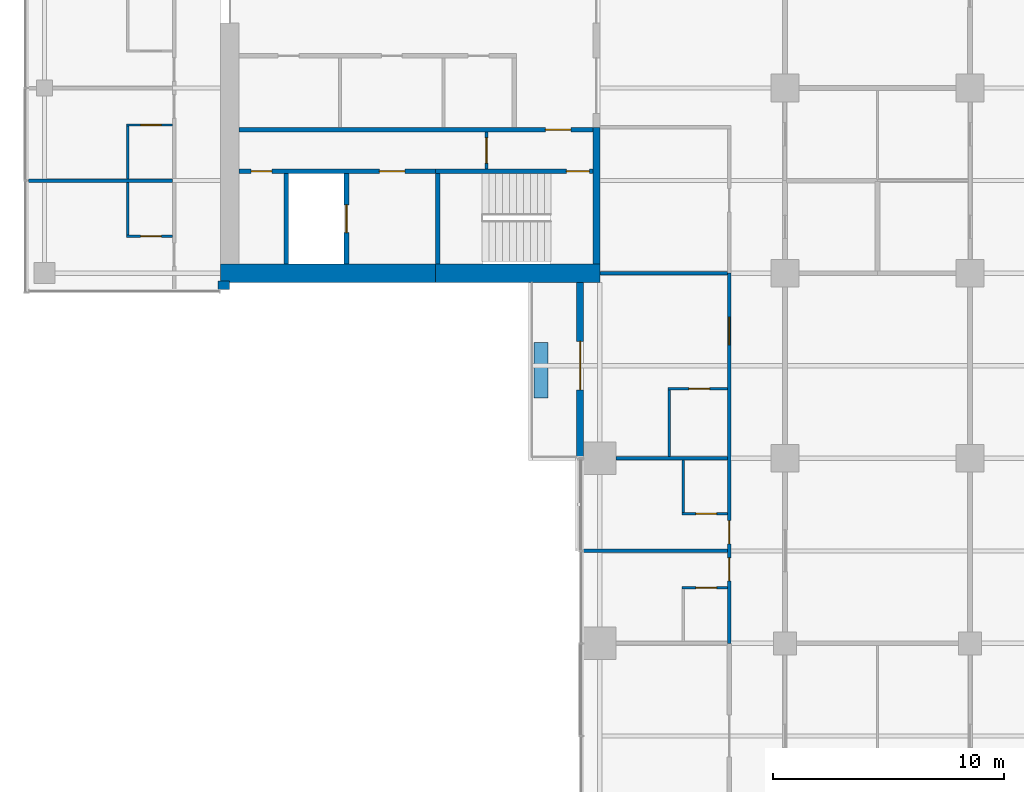
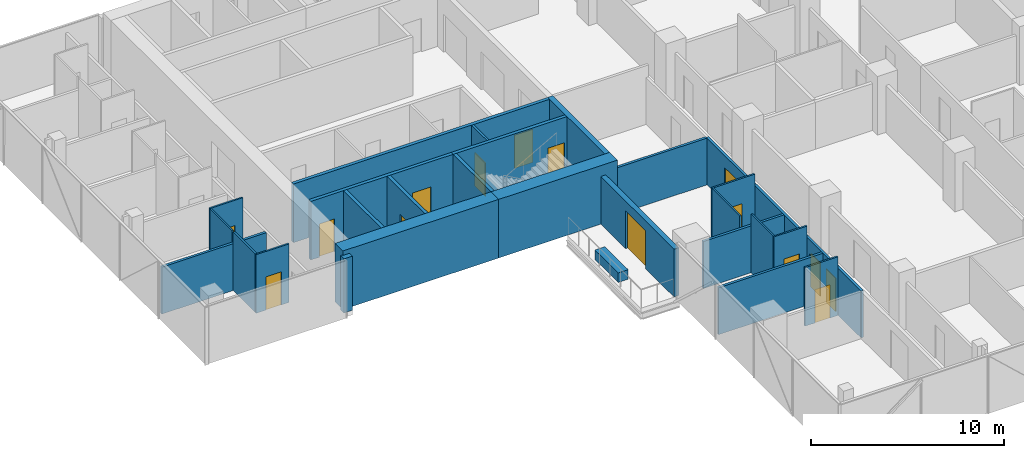
# One storey, part 15 of 27: 27 walls, 15 doors, 15 openings.
"""IFC4 building model written with IfcOpenShell, lengths in metres."""

from ifc_helpers import new_model, si_unit, direction, frame, frame_2d, origin, place, context, subcontext, project, spatial, rectangle, extrude, material, layer, layer_set, constituent, constituent_set, type_object, element, fill, save


model = new_model("IFC4")

# Units and contexts
model_context = context("Model", 3, precision=1e-05, world=origin(), true_north=direction((0.0, 1.0)))
body_context = subcontext(model_context, "Body", "Model", "MODEL_VIEW")
ifc_project = project(units=[si_unit("LENGTHUNIT", "METRE"), si_unit("AREAUNIT", "SQUARE_METRE"), si_unit("VOLUMEUNIT", "CUBIC_METRE"), si_unit("PLANEANGLEUNIT", "RADIAN"), si_unit("MASSUNIT", "GRAM", prefix="KILO")], contexts=[model_context])

# Site, building, storey
site_placement = place(None, origin())
site = spatial("IfcSite", under=ifc_project, at=site_placement, CompositionType="ELEMENT")
building_placement = place(site_placement, origin())
building = spatial("IfcBuilding", under=site, at=building_placement, Name="Crosswind Convention Tower", CompositionType="ELEMENT")
storey_placement = place(building_placement, frame((0.0, 0.0, 64.60009765625)))
storey = spatial("IfcBuildingStorey", under=building, at=storey_placement, Name="L10", CompositionType="ELEMENT", Elevation=64.60009765625)

# Wall
ifc_material_1 = material(Name="Concrete C50/60", Category="concrete")
ifc_layer_1 = layer(ifc_material_1, 0.300048828125)
ifc_layer_set_1 = layer_set([ifc_layer_1], Name="Concrete C50/60")
wall_type_1 = type_object("IfcWallType", Name="Concrete inner core wall 300", PredefinedType="SHEAR", material=ifc_layer_set_1)
wall_1_placement = place(storey_placement, frame((112.85009765625, 94.300048828125, 0.0), z_axis=(0.0, 0.0, 1.0), x_axis=(0.0, -1.0, 0.0)))
element("IfcWall", 1, at=wall_1_placement, inside=storey, type_object=wall_type_1, Name="Wall EP W L10", PredefinedType="SHEAR", context=body_context, shape_type="SweptSolid", body=[
    extrude(rectangle(XDim=5.900146484375, YDim=0.300048828125, at=frame_2d((2.9501953125, 0.0))), origin(), (0.0, 0.0, 1.0), 3.699951171875),
])

# Wall, opening, door
ifc_layer_2 = layer(ifc_material_1, 0.199951171875)
ifc_layer_set_2 = layer_set([ifc_layer_2], Name="Concrete C50/60")
wall_type_2 = type_object("IfcWallType", Name="Concrete shaft and stair wall 200", PredefinedType="SHEAR", material=ifc_layer_set_2)
wall_2_placement = place(storey_placement, frame((112.699951171875, 94.199951171875, 0.0), z_axis=(0.0, 0.0, 1.0), x_axis=(-1.0, 0.0, 0.0)))
wall_2 = element("IfcWall", 2, at=wall_2_placement, inside=storey, type_object=wall_type_2, Name="Wall HP W L10", PredefinedType="SHEAR", context=body_context, shape_type="SweptSolid", body=[
    extrude(rectangle(XDim=15.300048828125, YDim=0.199951171875, at=frame_2d((7.64990234375, 0.0))), origin(), (0.0, 0.0, 1.0), 3.699951171875),
])
opening_1_placement = place(wall_2_placement, frame((0.949951171875, 0.0, 0.0)))
opening_1 = element("IfcOpeningElement", 3, at=opening_1_placement, cuts=wall_2, Name="Opening D104", PredefinedType="OPENING", context=body_context, shape_type="SweptSolid", body=[
    extrude(rectangle(XDim=1.10009765625, YDim=2.10009765625, at=frame_2d((0.550048828125, 1.050048828125))), frame((0.0, 0.10986328125, 0.0), z_axis=(0.0, -1.0, 0.0), x_axis=(1.0, 0.0, 0.0)), (0.0, 0.0, 1.0), 0.219970703125),
])
ifc_material_2 = material(Name="Steel fire door", Category="steel")
door_type_1 = type_object("IfcDoorType", Name="Fire-rated single door 1100x2100", OperationType="NOTDEFINED", PredefinedType="DOOR", material=ifc_material_2)
door_1_placement = place(opening_1_placement, origin())
door_1 = element("IfcDoor", 4, at=door_1_placement, inside=storey, type_object=door_type_1, Name="Corridor door L10", ObjectType="D104", OperationType="SINGLE_SWING_LEFT", OverallHeight=2.10009765625, OverallWidth=1.10009765625, PredefinedType="DOOR", context=body_context, shape_type="SweptSolid", body=[
    extrude(rectangle(XDim=1.10009765625, YDim=2.10009765625, at=frame_2d((0.550048828125, 1.050048828125))), frame((0.0, 0.02490234375, 0.0), z_axis=(0.0, -1.0, 0.0), x_axis=(1.0, 0.0, 0.0)), (0.0, 0.0, 1.0), 0.050048828125),
])
fill(opening_1, door_1)

# Wall
wall_3_placement = place(storey_placement, frame((106.0, 92.300048828125, 0.0), z_axis=(0.0, 0.0, 1.0), x_axis=(0.0, -1.0, 0.0)))
element("IfcWall", 5, at=wall_3_placement, inside=storey, type_object=wall_type_2, Name="Wall PSE W L10", PredefinedType="SHEAR", context=body_context, shape_type="SweptSolid", body=[
    extrude(rectangle(XDim=3.900146484375, YDim=0.199951171875, at=frame_2d((1.9501953125, 0.0))), origin(), (0.0, 0.0, 1.0), 3.699951171875),
])

# Wall, opening, door
wall_4_placement = place(storey_placement, frame((102.050048828125, 92.300048828125, 0.0), z_axis=(0.0, 0.0, 1.0), x_axis=(0.0, -1.0, 0.0)))
wall_4 = element("IfcWall", 6, at=wall_4_placement, inside=storey, type_object=wall_type_2, Name="Wall PFLW W L10", PredefinedType="SHEAR", context=body_context, shape_type="SweptSolid", body=[
    extrude(rectangle(XDim=3.900146484375, YDim=0.199951171875, at=frame_2d((1.9501953125, 0.0))), origin(), (0.0, 0.0, 1.0), 3.699951171875),
])
opening_2_placement = place(wall_4_placement, frame((1.35009765625, 0.0, 0.0)))
opening_2 = element("IfcOpeningElement", 7, at=opening_2_placement, cuts=wall_4, Name="Opening LD1", PredefinedType="OPENING", context=body_context, shape_type="SweptSolid", body=[
    extrude(rectangle(XDim=1.199951171875, YDim=2.10009765625, at=frame_2d((0.60009765625, 1.050048828125))), frame((0.0, 0.10986328125, 0.0), z_axis=(0.0, -1.0, 0.0), x_axis=(1.0, 0.0, 0.0)), (0.0, 0.0, 1.0), 0.219970703125),
])
ifc_material_3 = material(Name="Stainless steel", Category="steel")
door_type_2 = type_object("IfcDoorType", Name="Lift landing door 1200x2100", OperationType="DOUBLE_DOOR_SLIDING", PredefinedType="DOOR", material=ifc_material_3)
door_2_placement = place(opening_2_placement, origin())
door_2 = element("IfcDoor", 8, at=door_2_placement, inside=storey, type_object=door_type_2, Name="Landing door FF2 L10", ObjectType="LD1", OperationType="DOUBLE_DOOR_SLIDING", OverallHeight=2.10009765625, OverallWidth=1.199951171875, PredefinedType="DOOR", context=body_context, shape_type="SweptSolid", body=[
    extrude(rectangle(XDim=1.199951171875, YDim=2.10009765625, at=frame_2d((0.60009765625, 1.050048828125))), frame((0.0, 0.02490234375, 0.0), z_axis=(0.0, -1.0, 0.0), x_axis=(1.0, 0.0, 0.0)), (0.0, 0.0, 1.0), 0.050048828125),
])
fill(opening_2, door_2)

# Wall
wall_5_placement = place(storey_placement, frame((99.449951171875, 92.300048828125, 0.0), z_axis=(0.0, 0.0, 1.0), x_axis=(0.0, -1.0, 0.0)))
element("IfcWall", 9, at=wall_5_placement, inside=storey, type_object=wall_type_2, Name="Wall PFSE W L10", PredefinedType="SHEAR", context=body_context, shape_type="SweptSolid", body=[
    extrude(rectangle(XDim=3.900146484375, YDim=0.199951171875, at=frame_2d((1.9501953125, 0.0))), origin(), (0.0, 0.0, 1.0), 3.699951171875),
])

# Wall, opening, door
wall_6_placement = place(storey_placement, frame((112.699951171875, 92.39990234375, 0.0), z_axis=(0.0, 0.0, 1.0), x_axis=(-1.0, 0.0, 0.0)))
wall_6 = element("IfcWall", 10, at=wall_6_placement, inside=storey, type_object=wall_type_2, Name="Wall PCW W L10", PredefinedType="SHEAR", context=body_context, shape_type="SweptSolid", body=[
    extrude(rectangle(XDim=6.800048828125, YDim=0.199951171875, at=frame_2d((3.39990234375, 0.0))), origin(), (0.0, 0.0, 1.0), 3.699951171875),
])
opening_3_placement = place(wall_6_placement, frame((0.14990234375, 0.0, 0.0)))
opening_3 = element("IfcOpeningElement", 11, at=opening_3_placement, cuts=wall_6, Name="Opening D103", PredefinedType="OPENING", context=body_context, shape_type="SweptSolid", body=[
    extrude(rectangle(XDim=1.0, YDim=2.10009765625, at=frame_2d((0.5, 1.050048828125))), frame((0.0, 0.10986328125, 0.0), z_axis=(0.0, -1.0, 0.0), x_axis=(1.0, 0.0, 0.0)), (0.0, 0.0, 1.0), 0.219970703125),
])
door_type_3 = type_object("IfcDoorType", Name="Fire-rated single door 1000x2100", OperationType="NOTDEFINED", PredefinedType="DOOR", material=ifc_material_2)
door_3_placement = place(opening_3_placement, origin())
door_3 = element("IfcDoor", 12, at=door_3_placement, inside=storey, type_object=door_type_3, Name="Stair ST3 door L10", ObjectType="D103", OperationType="SINGLE_SWING_LEFT", OverallHeight=2.10009765625, OverallWidth=1.0, PredefinedType="DOOR", context=body_context, shape_type="SweptSolid", body=[
    extrude(rectangle(XDim=1.0, YDim=2.10009765625, at=frame_2d((0.5, 1.050048828125))), frame((0.0, 0.02490234375, 0.0), z_axis=(0.0, -1.0, 0.0), x_axis=(1.0, 0.0, 0.0)), (0.0, 0.0, 1.0), 0.050048828125),
])
fill(opening_3, door_3)

# Wall, openings, doors
wall_7_placement = place(storey_placement, frame((105.89990234375, 92.39990234375, 0.0), z_axis=(0.0, 0.0, 1.0), x_axis=(-1.0, 0.0, 0.0)))
wall_7 = element("IfcWall", 13, at=wall_7_placement, inside=storey, type_object=wall_type_2, Name="Wall PCX W L10", PredefinedType="SHEAR", context=body_context, shape_type="SweptSolid", body=[
    extrude(rectangle(XDim=8.5, YDim=0.199951171875, at=frame_2d((4.25, 0.0))), origin(), (0.0, 0.0, 1.0), 3.699951171875),
])
opening_4_placement = place(wall_7_placement, frame((1.324951171875, 0.0, 0.0)))
opening_4 = element("IfcOpeningElement", 14, at=opening_4_placement, cuts=wall_7, Name="Opening D104", PredefinedType="OPENING", context=body_context, shape_type="SweptSolid", body=[
    extrude(rectangle(XDim=1.10009765625, YDim=2.10009765625, at=frame_2d((0.550048828125, 1.050048828125))), frame((0.0, 0.10986328125, 0.0), z_axis=(0.0, -1.0, 0.0), x_axis=(1.0, 0.0, 0.0)), (0.0, 0.0, 1.0), 0.219970703125),
])
opening_5_placement = place(wall_7_placement, frame((7.074951171875, 0.0, 0.0)))
opening_5 = element("IfcOpeningElement", 15, at=opening_5_placement, cuts=wall_7, Name="Opening D106", PredefinedType="OPENING", context=body_context, shape_type="SweptSolid", body=[
    extrude(rectangle(XDim=0.89990234375, YDim=2.10009765625, at=frame_2d((0.449951171875, 1.050048828125))), frame((0.0, 0.10986328125, 0.0), z_axis=(0.0, -1.0, 0.0), x_axis=(1.0, 0.0, 0.0)), (0.0, 0.0, 1.0), 0.219970703125),
])
door_4_placement = place(opening_4_placement, origin())
door_4 = element("IfcDoor", 16, at=door_4_placement, inside=storey, type_object=door_type_1, Name="Fire-fighting lobby FF2 door L10", ObjectType="D104", OperationType="SINGLE_SWING_RIGHT", OverallHeight=2.10009765625, OverallWidth=1.10009765625, PredefinedType="DOOR", context=body_context, shape_type="SweptSolid", body=[
    extrude(rectangle(XDim=1.10009765625, YDim=2.10009765625, at=frame_2d((0.550048828125, 1.050048828125))), frame((0.0, 0.02490234375, 0.0), z_axis=(0.0, -1.0, 0.0), x_axis=(1.0, 0.0, 0.0)), (0.0, 0.0, 1.0), 0.050048828125),
])
fill(opening_4, door_4)
ifc_material_4 = material(Name="Timber door", Category="wood")
door_type_4 = type_object("IfcDoorType", Name="Single leaf door 900x2100", OperationType="NOTDEFINED", PredefinedType="DOOR", material=ifc_material_4)
door_5_placement = place(opening_5_placement, origin())
door_5 = element("IfcDoor", 17, at=door_5_placement, inside=storey, type_object=door_type_4, Name="Door to cleaners' store L10", ObjectType="D106", OperationType="SINGLE_SWING_RIGHT", OverallHeight=2.10009765625, OverallWidth=0.89990234375, PredefinedType="DOOR", context=body_context, shape_type="SweptSolid", body=[
    extrude(rectangle(XDim=0.89990234375, YDim=2.10009765625, at=frame_2d((0.449951171875, 1.050048828125))), frame((0.0, 0.02490234375, 0.0), z_axis=(0.0, -1.0, 0.0), x_axis=(1.0, 0.0, 0.0)), (0.0, 0.0, 1.0), 0.050048828125),
])
fill(opening_5, door_5)

# Wall, opening, door
ifc_material_5 = material(Name="Gypsum plasterboard partition", Category="gypsum")
ifc_layer_3 = layer(ifc_material_5, 0.125)
ifc_layer_set_3 = layer_set([ifc_layer_3], Name="Drywall partition wall 125")
wall_type_3 = type_object("IfcWallType", Name="Drywall partition wall 125", PredefinedType="PARTITIONING", material=ifc_layer_set_3)
wall_8_placement = place(storey_placement, frame((108.10009765625, 94.10009765625, 0.0), z_axis=(0.0, 0.0, 1.0), x_axis=(0.0, -1.0, 0.0)))
wall_8 = element("IfcWall", 18, at=wall_8_placement, inside=storey, type_object=wall_type_3, Name="Wall PXC1 W L10", PredefinedType="PARTITIONING", context=body_context, shape_type="SweptSolid", body=[
    extrude(rectangle(XDim=1.60009765625, YDim=0.125, at=frame_2d((0.800048828125, 0.0))), origin(), (0.0, 0.0, 1.0), 3.699951171875),
])
opening_6_placement = place(wall_8_placement, frame((0.25, 0.0, 0.0)))
opening_6 = element("IfcOpeningElement", 19, at=opening_6_placement, cuts=wall_8, Name="Opening D104", PredefinedType="OPENING", context=body_context, shape_type="SweptSolid", body=[
    extrude(rectangle(XDim=1.10009765625, YDim=2.10009765625, at=frame_2d((0.550048828125, 1.050048828125))), frame((0.0, 0.072509765625, 0.0), z_axis=(0.0, -1.0, 0.0), x_axis=(1.0, 0.0, 0.0)), (0.0, 0.0, 1.0), 0.14501953125),
])
door_6_placement = place(opening_6_placement, origin())
door_6 = element("IfcDoor", 20, at=door_6_placement, inside=storey, type_object=door_type_1, Name="Corridor smoke door L10", ObjectType="D104", OperationType="SINGLE_SWING_RIGHT", OverallHeight=2.10009765625, OverallWidth=1.10009765625, PredefinedType="DOOR", context=body_context, shape_type="SweptSolid", body=[
    extrude(rectangle(XDim=1.10009765625, YDim=2.10009765625, at=frame_2d((0.550048828125, 1.050048828125))), frame((0.0, 0.02490234375, 0.0), z_axis=(0.0, -1.0, 0.0), x_axis=(1.0, 0.0, 0.0)), (0.0, 0.0, 1.0), 0.050048828125),
])
fill(opening_6, door_6)

# Walls
ifc_material_6 = material(Name="Acoustic plasterboard partition", Category="gypsum")
ifc_layer_4 = layer(ifc_material_6, 0.14990234375)
ifc_layer_set_4 = layer_set([ifc_layer_4], Name="GUEST ROOM WALL 150")
wall_type_4 = type_object("IfcWallType", Name="GUEST ROOM WALL 150", PredefinedType="PARTITIONING", material=ifc_layer_set_4)
wall_9_placement = place(storey_placement, frame((112.300048828125, 76.0, 0.0), z_axis=(0.0, 0.0, 1.0), x_axis=(1.0, 0.0, 0.0)))
element("IfcWall", 21, at=wall_9_placement, inside=storey, type_object=wall_type_4, Name="Guest Room Wall 8", PredefinedType="PARTITIONING", context=body_context, shape_type="SweptSolid", body=[
    extrude(rectangle(XDim=6.224853515625, YDim=0.14990234375, at=frame_2d((3.1123046875, 0.0))), origin(), (0.0, 0.0, 1.0), 2.962646484375),
])
wall_10_placement = place(storey_placement, frame((113.699951171875, 80.0, 0.0), z_axis=(0.0, 0.0, 1.0), x_axis=(1.0, 0.0, 0.0)))
element("IfcWall", 22, at=wall_10_placement, inside=storey, type_object=wall_type_4, Name="Guest Room Wall 11", PredefinedType="PARTITIONING", context=body_context, shape_type="SweptSolid", body=[
    extrude(rectangle(XDim=4.824951171875, YDim=0.14990234375, at=frame_2d((2.41259765625, 0.0))), origin(), (0.0, 0.0, 1.0), 2.959716796875),
])
wall_11_placement = place(storey_placement, frame((113.0, 88.0, 0.0), z_axis=(0.0, 0.0, 1.0), x_axis=(1.0, 0.0, 0.0)))
element("IfcWall", 23, at=wall_11_placement, inside=storey, type_object=wall_type_4, Name="Guest Room Wall 15", PredefinedType="PARTITIONING", context=body_context, shape_type="SweptSolid", body=[
    extrude(rectangle(XDim=5.52490234375, YDim=0.14990234375, at=frame_2d((2.762451171875, 0.0))), origin(), (0.0, 0.0, 1.0), 2.956298828125),
])
wall_12_placement = place(storey_placement, frame((88.300048828125, 92.0, 0.0), z_axis=(0.0, 0.0, 1.0), x_axis=(1.0, 0.0, 0.0)))
element("IfcWall", 24, at=wall_12_placement, inside=storey, type_object=wall_type_4, Name="Guest Room Wall 21", PredefinedType="PARTITIONING", context=body_context, shape_type="SweptSolid", body=[
    extrude(rectangle(XDim=6.224853515625, YDim=0.14990234375, at=frame_2d((3.1123046875, 0.0))), origin(), (0.0, 0.0, 1.0), 2.962646484375),
])

# Wall, openings, doors
wall_13_placement = place(storey_placement, frame((118.60009765625, 72.0, 0.0), z_axis=(0.0, 0.0, 1.0), x_axis=(0.0, 1.0, 0.0)))
wall_13 = element("IfcWall", 25, at=wall_13_placement, inside=storey, type_object=wall_type_4, Name="Guest Room Wall 83", PredefinedType="PARTITIONING", context=body_context, shape_type="SweptSolid", body=[
    extrude(rectangle(XDim=16.0, YDim=0.14990234375, at=frame_2d((8.0, 0.0))), origin(), (0.0, 0.0, 1.0), 2.956298828125),
])
opening_7_placement = place(wall_13_placement, frame((12.89990234375, 0.0, 0.0)))
opening_7 = element("IfcOpeningElement", 26, at=opening_7_placement, cuts=wall_13, Name="Opening 10.028", PredefinedType="OPENING", context=body_context, shape_type="SweptSolid", body=[
    extrude(rectangle(XDim=1.199951171875, YDim=2.199951171875, at=frame_2d((0.60009765625, 1.10009765625))), frame((0.0, 0.0849609375, 0.0), z_axis=(0.0, -1.0, 0.0), x_axis=(1.0, 0.0, 0.0)), (0.0, 0.0, 1.0), 0.169921875),
])
opening_8_placement = place(wall_13_placement, frame((4.300048828125, 0.0, 0.0)))
opening_8 = element("IfcOpeningElement", 27, at=opening_8_placement, cuts=wall_13, Name="Opening 10.030", PredefinedType="OPENING", context=body_context, shape_type="SweptSolid", body=[
    extrude(rectangle(XDim=1.0, YDim=2.10009765625, at=frame_2d((0.5, 1.050048828125))), frame((0.0, 0.0849609375, 0.0), z_axis=(0.0, -1.0, 0.0), x_axis=(1.0, 0.0, 0.0)), (0.0, 0.0, 1.0), 0.169921875),
])
opening_9_placement = place(wall_13_placement, frame((2.699951171875, 0.0, 0.0)))
opening_9 = element("IfcOpeningElement", 28, at=opening_9_placement, cuts=wall_13, Name="Opening 10.032", PredefinedType="OPENING", context=body_context, shape_type="SweptSolid", body=[
    extrude(rectangle(XDim=1.0, YDim=2.10009765625, at=frame_2d((0.5, 1.050048828125))), frame((0.0, 0.0849609375, 0.0), z_axis=(0.0, -1.0, 0.0), x_axis=(1.0, 0.0, 0.0)), (0.0, 0.0, 1.0), 0.169921875),
])
ifc_material_7 = material(Name="Timber fire door", Category="wood")
door_type_5 = type_object("IfcDoorType", Name="GUEST ROOM DOOR 1000X2100", OperationType="NOTDEFINED", PredefinedType="DOOR", material=ifc_material_7)
door_7_placement = place(opening_8_placement, origin())
door_7 = element("IfcDoor", 29, at=door_7_placement, inside=storey, type_object=door_type_5, Name="Door 10.030", ObjectType="D1", OperationType="SINGLE_SWING_RIGHT", OverallHeight=2.10009765625, OverallWidth=1.0, PredefinedType="DOOR", context=body_context, shape_type="SweptSolid", body=[
    extrude(rectangle(XDim=1.0, YDim=2.10009765625, at=frame_2d((0.5, 1.050048828125))), frame((0.0, 0.02490234375, 0.0), z_axis=(0.0, -1.0, 0.0), x_axis=(1.0, 0.0, 0.0)), (0.0, 0.0, 1.0), 0.050048828125),
])
fill(opening_8, door_7)
door_8_placement = place(opening_9_placement, origin())
door_8 = element("IfcDoor", 30, at=door_8_placement, inside=storey, type_object=door_type_5, Name="Door 10.032", ObjectType="D1", OperationType="SINGLE_SWING_RIGHT", OverallHeight=2.10009765625, OverallWidth=1.0, PredefinedType="DOOR", context=body_context, shape_type="SweptSolid", body=[
    extrude(rectangle(XDim=1.0, YDim=2.10009765625, at=frame_2d((0.5, 1.050048828125))), frame((0.0, 0.02490234375, 0.0), z_axis=(0.0, -1.0, 0.0), x_axis=(1.0, 0.0, 0.0)), (0.0, 0.0, 1.0), 0.050048828125),
])
fill(opening_9, door_8)
door_type_6 = type_object("IfcDoorType", Name="SUITE DOOR 1200X2200", OperationType="DOUBLE_DOOR_SINGLE_SWING", PredefinedType="DOOR", material=ifc_material_7)
door_9_placement = place(opening_7_placement, origin())
door_9 = element("IfcDoor", 31, at=door_9_placement, inside=storey, type_object=door_type_6, Name="Door 10.028", ObjectType="D14", OperationType="DOUBLE_DOOR_SINGLE_SWING", OverallHeight=2.199951171875, OverallWidth=1.199951171875, PredefinedType="DOOR", context=body_context, shape_type="SweptSolid", body=[
    extrude(rectangle(XDim=1.199951171875, YDim=2.199951171875, at=frame_2d((0.60009765625, 1.10009765625))), frame((0.0, 0.02490234375, 0.0), z_axis=(0.0, -1.0, 0.0), x_axis=(1.0, 0.0, 0.0)), (0.0, 0.0, 1.0), 0.050048828125),
])
fill(opening_7, door_9)

# Walls
ifc_material_8 = material(Name="Concrete C30/37", Category="concrete")
ifc_layer_5 = layer(ifc_material_8, 0.60009765625)
ifc_layer_set_5 = layer_set([ifc_layer_5], Name="Concrete C30/37")
wall_type_5 = type_object("IfcWallType", Name="PLANTER BOX WALL 600", PredefinedType="SOLIDWALL", material=ifc_layer_set_5)
wall_14_placement = place(storey_placement, frame((110.449951171875, 85.0, 0.0), z_axis=(0.0, 0.0, 1.0), x_axis=(0.0, -1.0, 0.0)))
element("IfcWall", 32, at=wall_14_placement, inside=storey, type_object=wall_type_5, Name="PLANTER L10 S-W.1-1", PredefinedType="SOLIDWALL", context=body_context, shape_type="SweptSolid", body=[
    extrude(rectangle(XDim=2.39990234375, YDim=0.60009765625, at=frame_2d((1.199951171875, 0.0))), origin(), (0.0, 0.0, 1.0), 0.599853515625),
])
ifc_material_9 = material(Name="Terracotta rainscreen", Category="ceramic")
ifc_layer_6 = layer(ifc_material_9, 0.02001953125)
ifc_material_10 = material(Name="Mineral wool insulation", Category="insulation")
ifc_layer_7 = layer(ifc_material_10, 0.10009765625)
ifc_material_11 = material(Name="Concrete blockwork", Category="masonry")
ifc_layer_8 = layer(ifc_material_11, 0.236083984375)
ifc_layer_set_6 = layer_set([ifc_layer_6, ifc_layer_7, ifc_layer_8], Name="TERRACOTTA CORNER INFILL WALL 356")
wall_type_6 = type_object("IfcWallType", Name="TERRACOTTA CORNER INFILL WALL 356", PredefinedType="SOLIDWALL", material=ifc_layer_set_6)
wall_15_placement = place(storey_placement, frame((96.4951171875, 87.47802734375, 0.0), z_axis=(0.0, 0.0, 1.0), x_axis=(1.0, 0.0, 0.0)))
element("IfcWall", 33, at=wall_15_placement, inside=storey, type_object=wall_type_6, Name="Core corner infill wall L10 3", PredefinedType="SOLIDWALL", context=body_context, shape_type="SweptSolid", body=[
    extrude(rectangle(XDim=0.5048828125, YDim=0.35595703125, at=frame_2d((0.25244140625, 0.0))), origin(), (0.0, 0.0, 1.0), 3.419921875),
])

# Wall, opening, door
ifc_layer_9 = layer(ifc_material_9, 0.02001953125)
ifc_layer_10 = layer(ifc_material_10, 0.10009765625)
ifc_layer_11 = layer(ifc_material_11, 0.179931640625)
ifc_layer_set_7 = layer_set([ifc_layer_9, ifc_layer_10, ifc_layer_11], Name="TERRACOTTA INFILL WALL 300")
wall_type_7 = type_object("IfcWallType", Name="TERRACOTTA INFILL WALL 300", PredefinedType="SOLIDWALL", material=ifc_layer_set_7)
wall_16_placement = place(storey_placement, frame((112.14990234375, 87.60009765625, 0.0), z_axis=(0.0, 0.0, 1.0), x_axis=(0.0, -1.0, 0.0)))
wall_16 = element("IfcWall", 34, at=wall_16_placement, inside=storey, type_object=wall_type_7, Name="Notch front wall L10 S-W.1-1", PredefinedType="SOLIDWALL", context=body_context, shape_type="SweptSolid", body=[
    extrude(rectangle(XDim=7.567626953125, YDim=0.300048828125, at=frame_2d((3.78369140625, 0.0))), origin(), (0.0, 0.0, 1.0), 3.013427734375),
])
opening_10_placement = place(wall_16_placement, frame((2.550048828125, 0.0, 0.0)))
opening_10 = element("IfcOpeningElement", 35, at=opening_10_placement, cuts=wall_16, Name="Opening D141", PredefinedType="OPENING", context=body_context, shape_type="SweptSolid", body=[
    extrude(rectangle(XDim=2.10009765625, YDim=2.39990234375, at=frame_2d((1.050048828125, 1.199951171875))), frame((0.0, 0.159912109375, 0.0), z_axis=(0.0, -1.0, 0.0), x_axis=(1.0, 0.0, 0.0)), (0.0, 0.0, 1.0), 0.320068359375),
])
ifc_material_12 = material(Name="Aluminium glazed door", Category="aluminium")
door_type_7 = type_object("IfcDoorType", Name="BALCONY SLIDING DOOR 2100X2400", OperationType="SLIDING_TO_LEFT", PredefinedType="DOOR", material=ifc_material_12)
door_10_placement = place(opening_10_placement, frame((2.10009765625, 0.0, 0.0), z_axis=(0.0, 0.0, 1.0), x_axis=(-1.0, 0.0, 0.0)))
door_10 = element("IfcDoor", 36, at=door_10_placement, inside=storey, type_object=door_type_7, Name="D141 balcony door L10 S-W.1-1", ObjectType="D141", OperationType="SLIDING_TO_LEFT", OverallHeight=2.39990234375, OverallWidth=2.10009765625, PredefinedType="DOOR", context=body_context, shape_type="SweptSolid", body=[
    extrude(rectangle(XDim=2.10009765625, YDim=2.39990234375, at=frame_2d((1.050048828125, 1.199951171875))), frame((0.0, 0.02490234375, 0.0), z_axis=(0.0, -1.0, 0.0), x_axis=(1.0, 0.0, 0.0)), (0.0, 0.0, 1.0), 0.050048828125),
])
fill(opening_10, door_10)

# Walls
ifc_material_13 = material(Name="Concrete C60/75", Category="concrete")
ifc_constituent_1 = constituent(ifc_material_13, Name="Structure")
ifc_constituent_2 = constituent(ifc_material_9, Name="Facing")
ifc_constituent_set = constituent_set(constituents=[ifc_constituent_1, ifc_constituent_2], Name="Concrete C60/75, Terracotta rainscreen")
wall_type_8 = type_object("IfcWallType", Name="Terracotta rainscreen on concrete core wall 800", PredefinedType="SHEAR", material=ifc_constituent_set)
wall_17_placement = place(storey_placement, frame((113.0, 88.0, 0.0), z_axis=(0.0, 0.0, 1.0), x_axis=(-1.0, 0.0, 0.0)))
element("IfcWall", 37, at=wall_17_placement, inside=storey, type_object=wall_type_8, Name="Wall N1 W L10", PredefinedType="SHEAR", context=body_context, shape_type="SweptSolid", body=[
    extrude(rectangle(XDim=7.10009765625, YDim=0.800048828125, at=frame_2d((3.550048828125, 0.0))), origin(), (0.0, 0.0, 1.0), 3.699951171875),
])
wall_18_placement = place(storey_placement, frame((105.89990234375, 88.0, 0.0), z_axis=(0.0, 0.0, 1.0), x_axis=(-1.0, 0.0, 0.0)))
element("IfcWall", 38, at=wall_18_placement, inside=storey, type_object=wall_type_8, Name="Wall N2 W L10", PredefinedType="SHEAR", context=body_context, shape_type="SweptSolid", body=[
    extrude(rectangle(XDim=9.2998046875, YDim=0.800048828125, at=frame_2d((4.64990234375, 0.0))), origin(), (0.0, 0.0, 1.0), 3.699951171875),
])

# Wall, opening, door
ifc_material_14 = material(Name="Water-resistant plasterboard partition", Category="gypsum")
ifc_layer_12 = layer(ifc_material_14, 0.10009765625)
ifc_layer_set_8 = layer_set([ifc_layer_12], Name="WET ROOM PARTITION 100")
wall_type_9 = type_object("IfcWallType", Name="WET ROOM PARTITION 100", PredefinedType="PLUMBINGWALL", material=ifc_layer_set_8)
wall_19_placement = place(storey_placement, frame((116.550048828125, 74.39990234375, 0.0), z_axis=(0.0, 0.0, 1.0), x_axis=(1.0, 0.0, 0.0)))
wall_19 = element("IfcWall", 39, at=wall_19_placement, inside=storey, type_object=wall_type_9, Name="Wet Room Partition 7", PredefinedType="PLUMBINGWALL", context=body_context, shape_type="SweptSolid", body=[
    extrude(rectangle(XDim=1.974853515625, YDim=0.10009765625, at=frame_2d((0.9873046875, 0.0))), origin(), (0.0, 0.0, 1.0), 3.699951171875),
])
opening_11_placement = place(wall_19_placement, frame((0.60009765625, 0.0, 0.0)))
opening_11 = element("IfcOpeningElement", 40, at=opening_11_placement, cuts=wall_19, Name="Opening 10.033", PredefinedType="OPENING", context=body_context, shape_type="SweptSolid", body=[
    extrude(rectangle(XDim=0.89990234375, YDim=2.10009765625, at=frame_2d((0.449951171875, 1.050048828125))), frame((0.0, 0.06005859375, 0.0), z_axis=(0.0, -1.0, 0.0), x_axis=(1.0, 0.0, 0.0)), (0.0, 0.0, 1.0), 0.1201171875),
])
door_type_8 = type_object("IfcDoorType", Name="EN-SUITE DOOR 900X2100", OperationType="NOTDEFINED", PredefinedType="DOOR", material=ifc_material_4)
door_11_placement = place(opening_11_placement, frame((0.89990234375, 0.0, 0.0), z_axis=(0.0, 0.0, 1.0), x_axis=(-1.0, 0.0, 0.0)))
door_11 = element("IfcDoor", 41, at=door_11_placement, inside=storey, type_object=door_type_8, Name="Door 10.033", ObjectType="D2", OperationType="SINGLE_SWING_LEFT", OverallHeight=2.10009765625, OverallWidth=0.89990234375, PredefinedType="DOOR", context=body_context, shape_type="SweptSolid", body=[
    extrude(rectangle(XDim=0.89990234375, YDim=2.10009765625, at=frame_2d((0.449951171875, 1.050048828125))), frame((0.0, 0.02490234375, 0.0), z_axis=(0.0, -1.0, 0.0), x_axis=(1.0, 0.0, 0.0)), (0.0, 0.0, 1.0), 0.050048828125),
])
fill(opening_11, door_11)

wall_20_placement = place(storey_placement, frame((116.550048828125, 77.60009765625, 0.0), z_axis=(0.0, 0.0, 1.0), x_axis=(1.0, 0.0, 0.0)))
wall_20 = element("IfcWall", 42, at=wall_20_placement, inside=storey, type_object=wall_type_9, Name="Wet Room Partition 10", PredefinedType="PLUMBINGWALL", context=body_context, shape_type="SweptSolid", body=[
    extrude(rectangle(XDim=1.974853515625, YDim=0.10009765625, at=frame_2d((0.9873046875, 0.0))), origin(), (0.0, 0.0, 1.0), 3.699951171875),
])
opening_12_placement = place(wall_20_placement, frame((0.60009765625, 0.0, 0.0)))
opening_12 = element("IfcOpeningElement", 43, at=opening_12_placement, cuts=wall_20, Name="Opening 10.031", PredefinedType="OPENING", context=body_context, shape_type="SweptSolid", body=[
    extrude(rectangle(XDim=0.89990234375, YDim=2.10009765625, at=frame_2d((0.449951171875, 1.050048828125))), frame((0.0, 0.06005859375, 0.0), z_axis=(0.0, -1.0, 0.0), x_axis=(1.0, 0.0, 0.0)), (0.0, 0.0, 1.0), 0.1201171875),
])
door_12_placement = place(opening_12_placement, origin())
door_12 = element("IfcDoor", 44, at=door_12_placement, inside=storey, type_object=door_type_8, Name="Door 10.031", ObjectType="D2", OperationType="SINGLE_SWING_RIGHT", OverallHeight=2.10009765625, OverallWidth=0.89990234375, PredefinedType="DOOR", context=body_context, shape_type="SweptSolid", body=[
    extrude(rectangle(XDim=0.89990234375, YDim=2.10009765625, at=frame_2d((0.449951171875, 1.050048828125))), frame((0.0, 0.02490234375, 0.0), z_axis=(0.0, -1.0, 0.0), x_axis=(1.0, 0.0, 0.0)), (0.0, 0.0, 1.0), 0.050048828125),
])
fill(opening_12, door_12)

wall_21_placement = place(storey_placement, frame((115.949951171875, 83.0, 0.0), z_axis=(0.0, 0.0, 1.0), x_axis=(1.0, 0.0, 0.0)))
wall_21 = element("IfcWall", 45, at=wall_21_placement, inside=storey, type_object=wall_type_9, Name="Wet Room Partition 13", PredefinedType="PLUMBINGWALL", context=body_context, shape_type="SweptSolid", body=[
    extrude(rectangle(XDim=2.574951171875, YDim=0.10009765625, at=frame_2d((1.28759765625, 0.0))), origin(), (0.0, 0.0, 1.0), 3.699951171875),
])
opening_13_placement = place(wall_21_placement, frame((0.89990234375, 0.0, 0.0)))
opening_13 = element("IfcOpeningElement", 46, at=opening_13_placement, cuts=wall_21, Name="Opening 10.029", PredefinedType="OPENING", context=body_context, shape_type="SweptSolid", body=[
    extrude(rectangle(XDim=0.89990234375, YDim=2.10009765625, at=frame_2d((0.449951171875, 1.050048828125))), frame((0.0, 0.06005859375, 0.0), z_axis=(0.0, -1.0, 0.0), x_axis=(1.0, 0.0, 0.0)), (0.0, 0.0, 1.0), 0.1201171875),
])
door_13_placement = place(opening_13_placement, frame((0.89990234375, 0.0, 0.0), z_axis=(0.0, 0.0, 1.0), x_axis=(-1.0, 0.0, 0.0)))
door_13 = element("IfcDoor", 47, at=door_13_placement, inside=storey, type_object=door_type_8, Name="Door 10.029", ObjectType="D2", OperationType="SINGLE_SWING_LEFT", OverallHeight=2.10009765625, OverallWidth=0.89990234375, PredefinedType="DOOR", context=body_context, shape_type="SweptSolid", body=[
    extrude(rectangle(XDim=0.89990234375, YDim=2.10009765625, at=frame_2d((0.449951171875, 1.050048828125))), frame((0.0, 0.02490234375, 0.0), z_axis=(0.0, -1.0, 0.0), x_axis=(1.0, 0.0, 0.0)), (0.0, 0.0, 1.0), 0.050048828125),
])
fill(opening_13, door_13)

wall_22_placement = place(storey_placement, frame((92.550048828125, 89.60009765625, 0.0), z_axis=(0.0, 0.0, 1.0), x_axis=(1.0, 0.0, 0.0)))
wall_22 = element("IfcWall", 48, at=wall_22_placement, inside=storey, type_object=wall_type_9, Name="Wet Room Partition 19", PredefinedType="PLUMBINGWALL", context=body_context, shape_type="SweptSolid", body=[
    extrude(rectangle(XDim=1.974853515625, YDim=0.10009765625, at=frame_2d((0.9873046875, 0.0))), origin(), (0.0, 0.0, 1.0), 3.699951171875),
])
opening_14_placement = place(wall_22_placement, frame((0.60009765625, 0.0, 0.0)))
opening_14 = element("IfcOpeningElement", 49, at=opening_14_placement, cuts=wall_22, Name="Opening 10.046", PredefinedType="OPENING", context=body_context, shape_type="SweptSolid", body=[
    extrude(rectangle(XDim=0.89990234375, YDim=2.10009765625, at=frame_2d((0.449951171875, 1.050048828125))), frame((0.0, 0.06005859375, 0.0), z_axis=(0.0, -1.0, 0.0), x_axis=(1.0, 0.0, 0.0)), (0.0, 0.0, 1.0), 0.1201171875),
])
door_14_placement = place(opening_14_placement, origin())
door_14 = element("IfcDoor", 50, at=door_14_placement, inside=storey, type_object=door_type_8, Name="Door 10.046", ObjectType="D2", OperationType="SINGLE_SWING_RIGHT", OverallHeight=2.10009765625, OverallWidth=0.89990234375, PredefinedType="DOOR", context=body_context, shape_type="SweptSolid", body=[
    extrude(rectangle(XDim=0.89990234375, YDim=2.10009765625, at=frame_2d((0.449951171875, 1.050048828125))), frame((0.0, 0.02490234375, 0.0), z_axis=(0.0, -1.0, 0.0), x_axis=(1.0, 0.0, 0.0)), (0.0, 0.0, 1.0), 0.050048828125),
])
fill(opening_14, door_14)

wall_23_placement = place(storey_placement, frame((92.550048828125, 94.39990234375, 0.0), z_axis=(0.0, 0.0, 1.0), x_axis=(1.0, 0.0, 0.0)))
wall_23 = element("IfcWall", 51, at=wall_23_placement, inside=storey, type_object=wall_type_9, Name="Wet Room Partition 27", PredefinedType="PLUMBINGWALL", context=body_context, shape_type="SweptSolid", body=[
    extrude(rectangle(XDim=1.974853515625, YDim=0.10009765625, at=frame_2d((0.9873046875, 0.0))), origin(), (0.0, 0.0, 1.0), 3.699951171875),
])
opening_15_placement = place(wall_23_placement, frame((0.60009765625, 0.0, 0.0)))
opening_15 = element("IfcOpeningElement", 52, at=opening_15_placement, cuts=wall_23, Name="Opening 10.048", PredefinedType="OPENING", context=body_context, shape_type="SweptSolid", body=[
    extrude(rectangle(XDim=0.89990234375, YDim=2.10009765625, at=frame_2d((0.449951171875, 1.050048828125))), frame((0.0, 0.06005859375, 0.0), z_axis=(0.0, -1.0, 0.0), x_axis=(1.0, 0.0, 0.0)), (0.0, 0.0, 1.0), 0.1201171875),
])
door_15_placement = place(opening_15_placement, frame((0.89990234375, 0.0, 0.0), z_axis=(0.0, 0.0, 1.0), x_axis=(-1.0, 0.0, 0.0)))
door_15 = element("IfcDoor", 53, at=door_15_placement, inside=storey, type_object=door_type_8, Name="Door 10.048", ObjectType="D2", OperationType="SINGLE_SWING_LEFT", OverallHeight=2.10009765625, OverallWidth=0.89990234375, PredefinedType="DOOR", context=body_context, shape_type="SweptSolid", body=[
    extrude(rectangle(XDim=0.89990234375, YDim=2.10009765625, at=frame_2d((0.449951171875, 1.050048828125))), frame((0.0, 0.02490234375, 0.0), z_axis=(0.0, -1.0, 0.0), x_axis=(1.0, 0.0, 0.0)), (0.0, 0.0, 1.0), 0.050048828125),
])
fill(opening_15, door_15)

# Walls
for number, where, z_axis, x_axis, name in (
    (54, (92.60009765625, 89.64990234375, 0.0), (0.0, 0.0, 1.0), (0.0, 1.0, 0.0), "Wet Room Partition 68"),
    (55, (92.60009765625, 92.074951171875, 0.0), (0.0, 0.0, 1.0), (0.0, 1.0, 0.0), "Wet Room Partition 69"),
):
    element("IfcWall", number, at=place(storey_placement, frame(where, z_axis=z_axis, x_axis=x_axis)), inside=storey, type_object=wall_type_9, Name=name, PredefinedType="PLUMBINGWALL", context=body_context, shape_type="SweptSolid", body=[
        extrude(rectangle(XDim=2.275146484375, YDim=0.10009765625, at=frame_2d((1.1376953125, 0.0))), origin(), (0.0, 0.0, 1.0), 3.699951171875),
    ])
wall_24_placement = place(storey_placement, frame((116.0, 80.074951171875, 0.0), z_axis=(0.0, 0.0, 1.0), x_axis=(0.0, 1.0, 0.0)))
element("IfcWall", 56, at=wall_24_placement, inside=storey, type_object=wall_type_9, Name="Wet Room Partition 75", PredefinedType="PLUMBINGWALL", context=body_context, shape_type="SweptSolid", body=[
    extrude(rectangle(XDim=2.875, YDim=0.10009765625, at=frame_2d((1.4375, 0.0))), origin(), (0.0, 0.0, 1.0), 3.699951171875),
])
wall_25_placement = place(storey_placement, frame((116.60009765625, 77.64990234375, 0.0), z_axis=(0.0, 0.0, 1.0), x_axis=(0.0, 1.0, 0.0)))
element("IfcWall", 57, at=wall_25_placement, inside=storey, type_object=wall_type_9, Name="Wet Room Partition 78", PredefinedType="PLUMBINGWALL", context=body_context, shape_type="SweptSolid", body=[
    extrude(rectangle(XDim=2.275146484375, YDim=0.10009765625, at=frame_2d((1.1376953125, 0.0))), origin(), (0.0, 0.0, 1.0), 3.699951171875),
])

save(model, "model.ifc")
